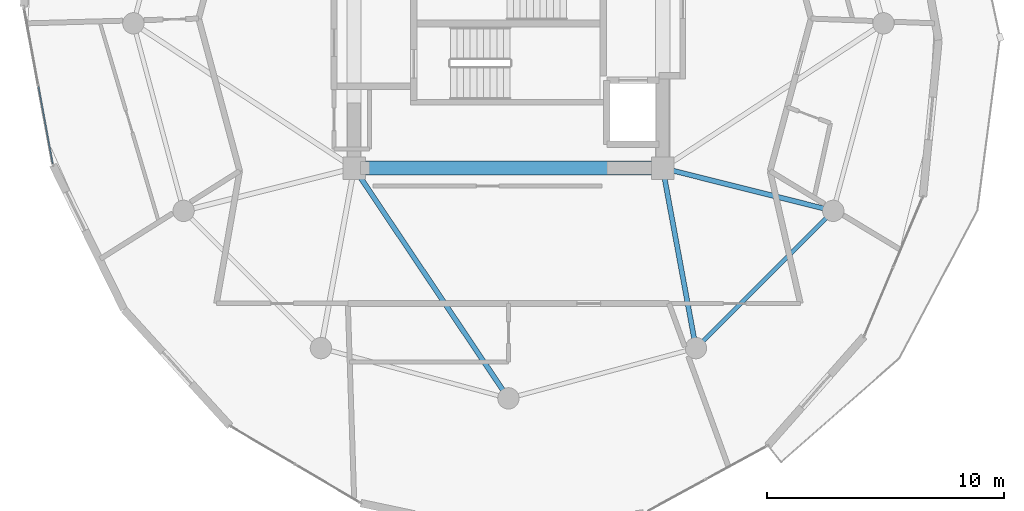
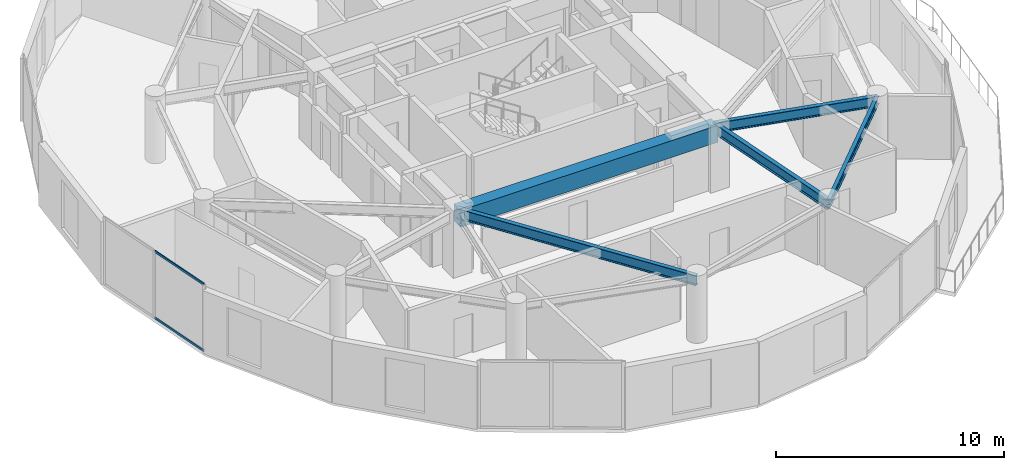
# One storey, part 6 of 21: 5 beams, 2 members, 1 element without a shape of its own.
"""IFC4 building model written with IfcOpenShell, lengths in metres."""

from ifc_helpers import new_model, si_unit, direction, frame, origin, origin_2d, place, context, subcontext, project, spatial, rectangle, hollow_rectangle, i_section, extrude, source, transform, mapped, material, layer, layer_set, material_profile, profile_set, type_object, element, aggregate, save


model = new_model("IFC4")

# Units and contexts
model_context = context("Model", 3, precision=1e-05, world=origin(), true_north=direction((0.0, 1.0)))
body_context = subcontext(model_context, "Body", "Model", "MODEL_VIEW")
ifc_project = project(units=[si_unit("LENGTHUNIT", "METRE"), si_unit("AREAUNIT", "SQUARE_METRE"), si_unit("VOLUMEUNIT", "CUBIC_METRE"), si_unit("PLANEANGLEUNIT", "RADIAN"), si_unit("MASSUNIT", "GRAM", prefix="KILO")], contexts=[model_context])

# Site, building, storey
site_placement = place(None, origin())
site = spatial("IfcSite", under=ifc_project, at=site_placement, CompositionType="ELEMENT")
building_placement = place(site_placement, origin())
building = spatial("IfcBuilding", under=site, at=building_placement, Name="Solvirekh Grand Hotel", CompositionType="ELEMENT")
storey_placement = place(building_placement, frame((0.0, 0.0, 223.60009765625)))
storey = spatial("IfcBuildingStorey", under=building, at=storey_placement, Name="L58", CompositionType="ELEMENT", Elevation=223.60009765625)

# Beams
ifc_material_1 = material(Name="Concrete C50/60", Category="concrete")
ifc_material_profile_1 = material_profile(ifc_material_1, rectangle(XDim=0.60009765625, YDim=0.89990234375, at=origin_2d()), Name="RC BEAM 600X900")
ifc_profile_set_1 = profile_set([ifc_material_profile_1], Name="Concrete C50/60")
beam_type_1 = type_object("IfcBeamType", Name="Beam_Core_RC900", PredefinedType="BEAM", material=ifc_profile_set_1)
beam_1_placement = place(storey_placement, frame((-6.5, -6.10009765625, 2.909912109375), z_axis=(1.0, 0.0, 0.0), x_axis=(0.0, 1.0, 0.0)))
element("IfcBeam", 1, at=beam_1_placement, inside=storey, type_object=beam_type_1, Name="L58 core coupling ring beam 1", PredefinedType="BEAM", context=body_context, shape_type="SweptSolid", body=[
    extrude(rectangle(XDim=0.60009765625, YDim=0.89990234375, at=origin_2d()), origin(), (0.0, 0.0, 1.0), 13.0),
])
ifc_material_2 = material(Name="Steel S355", Category="steel")
ifc_material_profile_2 = material_profile(ifc_material_2, i_section(OverallWidth=0.2119140625, OverallDepth=0.5439453125, WebThickness=0.011962890625, FlangeThickness=0.01904296875, FilletRadius=0.013916015625, at=origin_2d()), Name="W530X123")
ifc_profile_set_2 = profile_set([ifc_material_profile_2], Name="Steel S355")
beam_type_2 = type_object("IfcBeamType", Name="Beam_Radial_W530H", PredefinedType="BEAM", material=ifc_profile_set_2)
beam_2_placement = place(storey_placement, frame((-6.5, -6.10009765625, 3.087890625), z_axis=(0.556676926176, -0.830729077295, 0.0), x_axis=(0.830729077295, 0.556676926176, 0.0)))
element("IfcBeam", 2, at=beam_2_placement, inside=storey, type_object=beam_type_2, Name="L58 radial floor beam R10", PredefinedType="BEAM", context=body_context, shape_type="SweptSolid", body=[
    extrude(i_section(OverallWidth=0.2119140625, OverallDepth=0.5439453125, WebThickness=0.011962890625, FlangeThickness=0.01904296875, FilletRadius=0.013916015625, at=origin_2d()), origin(), (0.0, 0.0, 1.0), 11.676513671875),
])
beam_3_placement = place(storey_placement, frame((6.5, -6.10009765625, 3.087890625), z_axis=(0.181542769111, -0.983383049978, 0.0), x_axis=(0.983383049978, 0.181542769111, 0.0)))
element("IfcBeam", 3, at=beam_3_placement, inside=storey, type_object=beam_type_2, Name="L58 radial floor beam R11", PredefinedType="BEAM", context=body_context, shape_type="SweptSolid", body=[
    extrude(i_section(OverallWidth=0.2119140625, OverallDepth=0.5439453125, WebThickness=0.011962890625, FlangeThickness=0.01904296875, FilletRadius=0.013916015625, at=origin_2d()), origin(), (0.0, 0.0, 1.0), 7.711181640625),
])
beam_4_placement = place(storey_placement, frame((6.5, -6.10009765625, 3.087890625), z_axis=(0.970014367692, -0.243047580675, 0.0), x_axis=(0.243047580675, 0.970014367692, 0.0)))
element("IfcBeam", 4, at=beam_4_placement, inside=storey, type_object=beam_type_2, Name="L58 radial floor beam R12", PredefinedType="BEAM", context=body_context, shape_type="SweptSolid", body=[
    extrude(i_section(OverallWidth=0.2119140625, OverallDepth=0.5439453125, WebThickness=0.011962890625, FlangeThickness=0.01904296875, FilletRadius=0.013916015625, at=origin_2d()), origin(), (0.0, 0.0, 1.0), 7.4052734375),
])
ifc_material_profile_3 = material_profile(ifc_material_2, i_section(OverallWidth=0.180908203125, OverallDepth=0.4169921875, WebThickness=0.010009765625, FlangeThickness=0.01611328125, FilletRadius=0.011962890625, at=origin_2d()), Name="W410X85")
ifc_profile_set_3 = profile_set([ifc_material_profile_3], Name="Steel S355")
beam_type_3 = type_object("IfcBeamType", Name="Spandrel_Ring_W410", PredefinedType="SPANDREL", material=ifc_profile_set_3)
beam_5_placement = place(storey_placement, frame((7.89990234375, -13.68310546875, 3.15185546875), z_axis=(0.707106781187, 0.707106781187, 0.0), x_axis=(-0.707106781187, 0.707106781187, 0.0)))
element("IfcBeam", 5, at=beam_5_placement, inside=storey, type_object=beam_type_3, Name="L58 perimeter spandrel beam 11", PredefinedType="SPANDREL", context=body_context, shape_type="SweptSolid", body=[
    extrude(i_section(OverallWidth=0.180908203125, OverallDepth=0.4169921875, WebThickness=0.010009765625, FlangeThickness=0.01611328125, FilletRadius=0.011962890625, at=origin_2d()), origin(), (0.0, 0.0, 1.0), 8.1787109375),
])

# Curtain wall, members
ifc_material_3 = material(Name="Anodized Bronze Aluminium 6063-T6", Category="aluminium")
ifc_layer = layer(ifc_material_3, 0.159912109375)
ifc_layer_set = layer_set([ifc_layer], Name="Anodized Bronze Aluminium 6063-T6")
curtain_wall_type = type_object("IfcCurtainWallType", Name="CW_Sys4_HighZoneFlushBronzeCW", PredefinedType="NOTDEFINED", material=ifc_layer_set)
curtain_wall_placement = place(storey_placement, origin())
curtain_wall = element("IfcCurtainWall", 6, at=curtain_wall_placement, inside=storey, type_object=curtain_wall_type, Name="L58 unitised bronze-glass curtain wall CW-L58-C15", PredefinedType="NOTDEFINED")
ifc_material_profile_4 = material_profile(ifc_material_3, hollow_rectangle(XDim=0.054931640625, YDim=0.1201171875, WallThickness=0.00390625, at=origin_2d()), Name="ALU RHS 120X55X4")
ifc_profile_set_4 = profile_set([ifc_material_profile_4], Name="Anodized Bronze Aluminium 6063-T6")
member_type = type_object("IfcMemberType", Name="CWTransom_Sys4", PredefinedType="USERDEFINED", material=ifc_profile_set_4)
shared_shape = source(origin(), body_context, "Body", "SweptSolid", [
    extrude(hollow_rectangle(XDim=0.054931640625, YDim=0.1201171875, WallThickness=0.00390625, at=origin_2d()), origin(), (0.0, 0.0, 1.0), 3.302734375),
])
member_1_placement = place(storey_placement, frame((-19.796630859375, -2.6650390625, 0.02734375), z_axis=(0.181252737318, -0.983436548647, 0.0), x_axis=(0.983436548647, 0.181252737318, 0.0)))
member_1 = element("IfcMember", 7, at=member_1_placement, type_object=member_type, Name="U04 transom 2.1", ObjectType="TRANSOM", PredefinedType="USERDEFINED", context=body_context, shape_type="MappedRepresentation", body=[
    mapped(shared_shape, transform((0.0, 0.0, 0.0), x_axis=(1.0, 0.0, 0.0), y_axis=(0.0, 1.0, 0.0), z_axis=(0.0, 0.0, 1.0), scale=1.0)),
])
member_2_placement = place(storey_placement, frame((-19.796630859375, -2.6650390625, 3.572509765625), z_axis=(0.181252737318, -0.983436548647, 0.0), x_axis=(0.983436548647, 0.181252737318, 0.0)))
member_2 = element("IfcMember", 8, at=member_2_placement, type_object=member_type, Name="U04 transom 2.2", ObjectType="TRANSOM", PredefinedType="USERDEFINED", context=body_context, shape_type="MappedRepresentation", body=[
    mapped(shared_shape, transform((0.0, 0.0, 0.0), x_axis=(1.0, 0.0, 0.0), y_axis=(0.0, 1.0, 0.0), z_axis=(0.0, 0.0, 1.0), scale=1.0)),
])
aggregate(curtain_wall, [member_1, member_2])

save(model, "model.ifc")
